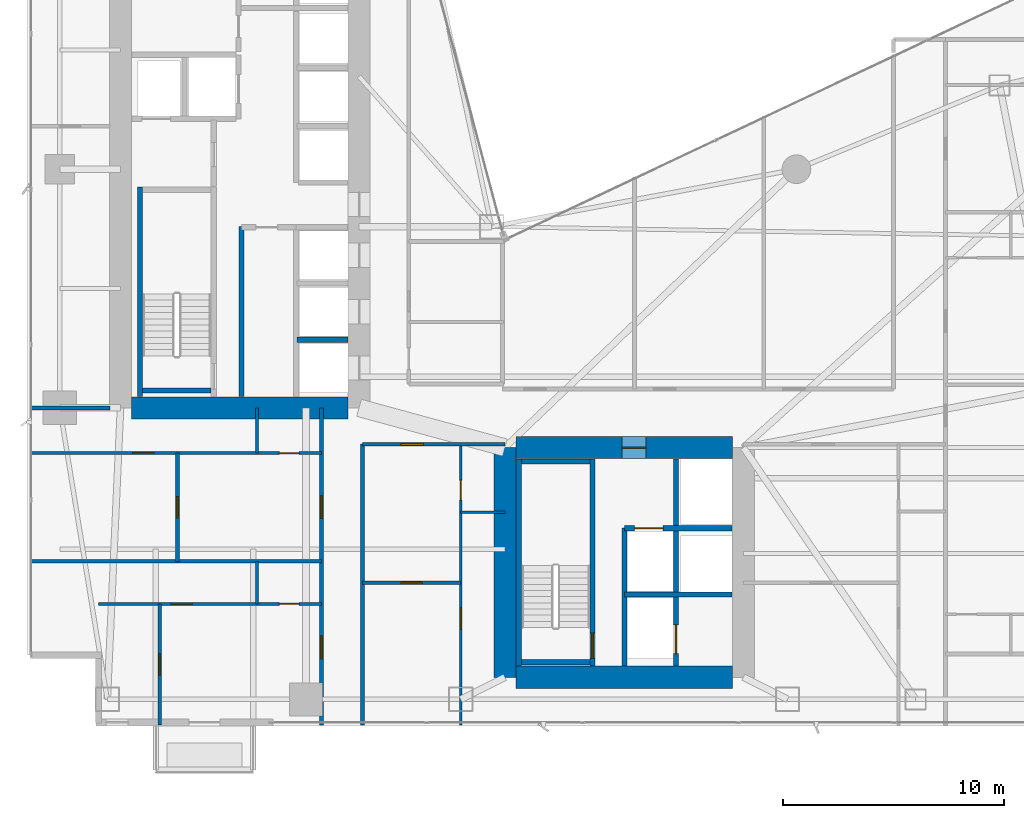
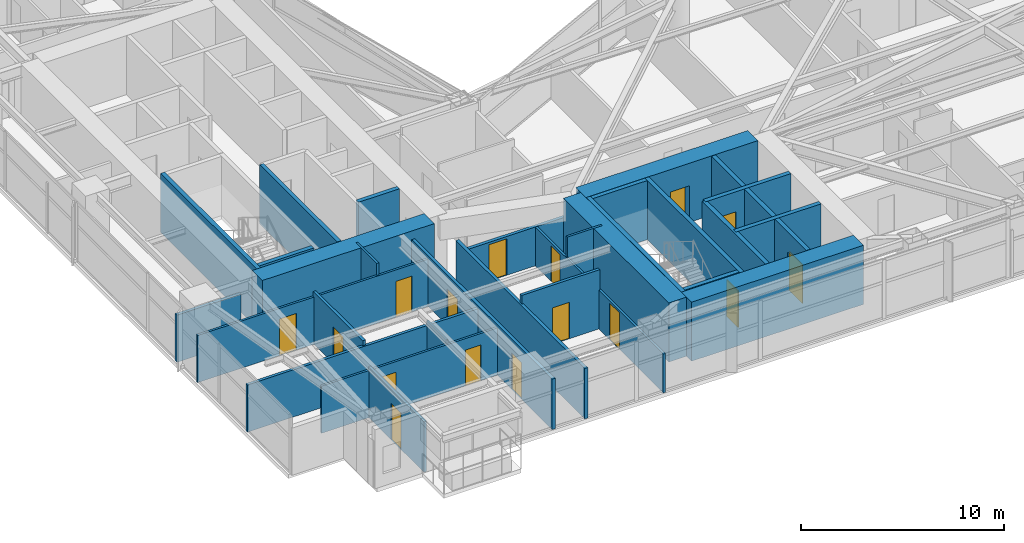
# One storey, part 22 of 29: 30 walls, 16 doors, 16 openings.
"""IFC4 building model written with IfcOpenShell, lengths in metres."""

from ifc_helpers import new_model, si_unit, direction, frame, frame_2d, origin, place, context, subcontext, project, spatial, rectangle, extrude, material, layer, layer_set, type_object, element, fill, save


model = new_model("IFC4")

# Units and contexts
model_context = context("Model", 3, precision=1e-05, world=origin(), true_north=direction((0.0, 1.0)))
body_context = subcontext(model_context, "Body", "Model", "MODEL_VIEW")
ifc_project = project(units=[si_unit("LENGTHUNIT", "METRE"), si_unit("AREAUNIT", "SQUARE_METRE"), si_unit("VOLUMEUNIT", "CUBIC_METRE"), si_unit("PLANEANGLEUNIT", "RADIAN"), si_unit("MASSUNIT", "GRAM", prefix="KILO")], contexts=[model_context])

# Site, building, storey
site_placement = place(None, origin())
site = spatial("IfcSite", under=ifc_project, at=site_placement, CompositionType="ELEMENT")
building_placement = place(site_placement, origin())
building = spatial("IfcBuilding", under=site, at=building_placement, Name="Calvorn Quay Hotel", CompositionType="ELEMENT")
storey_placement = place(building_placement, frame((0.0, 0.0, 58.39990234375)))
storey = spatial("IfcBuildingStorey", under=building, at=storey_placement, Name="L13", CompositionType="ELEMENT", Elevation=58.39990234375)

# Walls
ifc_material_1 = material(Name="Concrete C60", Category="concrete")
ifc_layer_1 = layer(ifc_material_1, 1.0)
ifc_layer_set_1 = layer_set([ifc_layer_1], Name="WL-CORE-1000")
wall_type_1 = type_object("IfcWallType", Name="WL-CORE-1000", PredefinedType="SHEAR", material=ifc_layer_set_1)
wall_1_placement = place(storey_placement, frame((4.699951171875, 16.800048828125, 0.0), z_axis=(0.0, 0.0, 1.0), x_axis=(1.0, 0.0, 0.0)))
element("IfcWall", 1, at=wall_1_placement, inside=storey, type_object=wall_type_1, Name="West Core Shear Wall S (L13)", PredefinedType="SHEAR", context=body_context, shape_type="SweptSolid", body=[
    extrude(rectangle(XDim=9.800048828125, YDim=1.0, at=frame_2d((4.89990234375, 0.0))), origin(), (0.0, 0.0, 1.0), 3.56005859375),
])
wall_2_placement = place(storey_placement, frame((21.60009765625, 4.60009765625, 0.0), z_axis=(0.0, 0.0, 1.0), x_axis=(0.0, 1.0, 0.0)))
element("IfcWall", 2, at=wall_2_placement, inside=storey, type_object=wall_type_1, Name="East Core Shear Wall W (L13)", PredefinedType="SHEAR", context=body_context, shape_type="SweptSolid", body=[
    extrude(rectangle(XDim=10.39990234375, YDim=1.0, at=frame_2d((5.199951171875, 0.0))), origin(), (0.0, 0.0, 1.0), 3.56005859375),
])

# Wall, opening, door
wall_3_placement = place(storey_placement, frame((22.10009765625, 15.0, 0.0), z_axis=(0.0, 0.0, 1.0), x_axis=(1.0, 0.0, 0.0)))
wall_3 = element("IfcWall", 3, at=wall_3_placement, inside=storey, type_object=wall_type_1, Name="East Core Shear Wall N (L13)", PredefinedType="SHEAR", context=body_context, shape_type="SweptSolid", body=[
    extrude(rectangle(XDim=9.7998046875, YDim=1.0, at=frame_2d((4.89990234375, 0.0))), origin(), (0.0, 0.0, 1.0), 3.56005859375),
])
opening_1_placement = place(wall_3_placement, frame((4.800048828125, 0.0, 0.0)))
opening_1 = element("IfcOpeningElement", 4, at=opening_1_placement, cuts=wall_3, Name="Opening D-L13-FLE", PredefinedType="OPENING", context=body_context, shape_type="SweptSolid", body=[
    extrude(rectangle(XDim=1.10009765625, YDim=2.199951171875, at=frame_2d((0.550048828125, 1.10009765625))), frame((0.0, 0.510009765625, 0.0), z_axis=(0.0, -1.0, 0.0), x_axis=(1.0, 0.0, 0.0)), (0.0, 0.0, 1.0), 1.02001953125),
])
ifc_material_2 = material(Name="Smoke-Sealed Steel Class A Fire Door", Category="steel")
door_type_1 = type_object("IfcDoorType", Name="DR-FFLOBBY-1100", OperationType="NOTDEFINED", PredefinedType="DOOR", material=ifc_material_2)
door_1_placement = place(opening_1_placement, origin())
door_1 = element("IfcDoor", 5, at=door_1_placement, inside=storey, type_object=door_type_1, Name="East Firefighting Lobby Fire Door (L13)", OperationType="SINGLE_SWING_LEFT", OverallHeight=2.199951171875, OverallWidth=1.10009765625, PredefinedType="DOOR", context=body_context, shape_type="SweptSolid", body=[
    extrude(rectangle(XDim=1.10009765625, YDim=2.199951171875, at=frame_2d((0.550048828125, 1.10009765625))), frame((0.0, 0.02490234375, 0.0), z_axis=(0.0, -1.0, 0.0), x_axis=(1.0, 0.0, 0.0)), (0.0, 0.0, 1.0), 0.050048828125),
])
fill(opening_1, door_1)

# Walls
wall_4_placement = place(storey_placement, frame((22.10009765625, 4.60009765625, 0.0), z_axis=(0.0, 0.0, 1.0), x_axis=(1.0, 0.0, 0.0)))
element("IfcWall", 6, at=wall_4_placement, inside=storey, type_object=wall_type_1, Name="East Core Shear Wall S (L13)", PredefinedType="SHEAR", context=body_context, shape_type="SweptSolid", body=[
    extrude(rectangle(XDim=9.7998046875, YDim=1.0, at=frame_2d((4.89990234375, 0.0))), origin(), (0.0, 0.0, 1.0), 3.56005859375),
])
ifc_material_3 = material(Name="Acoustic Fireboard Steel-Stud Partition", Category="steel")
ifc_layer_2 = layer(ifc_material_3, 0.179931640625)
ifc_layer_set_2 = layer_set([ifc_layer_2], Name="WL-CORR-FIRE-180")
wall_type_2 = type_object("IfcWallType", Name="WL-CORR-FIRE-180", PredefinedType="PARTITIONING", material=ifc_layer_set_2)
wall_5_placement = place(storey_placement, frame((0.080078125, 16.800048828125, 0.0), z_axis=(0.0, 0.0, 1.0), x_axis=(1.0, 0.0, 0.0)))
element("IfcWall", 7, at=wall_5_placement, inside=storey, type_object=wall_type_2, Name="Partition Wall L13-WL-WBAY-S-WALL", PredefinedType="PARTITIONING", context=body_context, shape_type="SweptSolid", body=[
    extrude(rectangle(XDim=3.64990234375, YDim=0.179931640625, at=frame_2d((1.824951171875, 0.0))), origin(), (0.0, 0.0, 1.0), 2.840087890625),
])

# Wall, openings, doors
wall_6_placement = place(storey_placement, frame((13.300048828125, 2.43994140625, 0.0), z_axis=(0.0, 0.0, 1.0), x_axis=(0.0, 1.0, 0.0)))
wall_6 = element("IfcWall", 8, at=wall_6_placement, inside=storey, type_object=wall_type_2, Name="Partition Wall L13-WL-CORR-SW-LEG-W", PredefinedType="PARTITIONING", context=body_context, shape_type="SweptSolid", body=[
    extrude(rectangle(XDim=14.360107421875, YDim=0.179931640625, at=frame_2d((7.18017578125, 0.0))), origin(), (0.0, 0.0, 1.0), 3.0400390625),
])
opening_2_placement = place(wall_6_placement, frame((3.010009765625, 0.0, 0.0)))
opening_2 = element("IfcOpeningElement", 9, at=opening_2_placement, cuts=wall_6, Name="Opening D-L13-U01", PredefinedType="OPENING", context=body_context, shape_type="SweptSolid", body=[
    extrude(rectangle(XDim=1.02001953125, YDim=2.199951171875, at=frame_2d((0.510009765625, 1.10009765625))), frame((0.0, 0.099853515625, 0.0), z_axis=(0.0, -1.0, 0.0), x_axis=(1.0, 0.0, 0.0)), (0.0, 0.0, 1.0), 0.199951171875),
])
opening_3_placement = place(wall_6_placement, frame((9.35009765625, 0.0, 0.0)))
opening_3 = element("IfcOpeningElement", 10, at=opening_3_placement, cuts=wall_6, Name="Opening D-L13-U02", PredefinedType="OPENING", context=body_context, shape_type="SweptSolid", body=[
    extrude(rectangle(XDim=1.02001953125, YDim=2.199951171875, at=frame_2d((0.510009765625, 1.10009765625))), frame((0.0, 0.099853515625, 0.0), z_axis=(0.0, -1.0, 0.0), x_axis=(1.0, 0.0, 0.0)), (0.0, 0.0, 1.0), 0.199951171875),
])
ifc_material_4 = material(Name="Solid-Core Walnut Veneer Hotel Fire Door")
door_type_2 = type_object("IfcDoorType", Name="DR-GUEST-ENTRY-1020", OperationType="NOTDEFINED", PredefinedType="DOOR", material=ifc_material_4)
door_2_placement = place(opening_2_placement, origin())
door_2 = element("IfcDoor", 11, at=door_2_placement, inside=storey, type_object=door_type_2, Name="South-West Unit Door U01 (L13)", OperationType="SINGLE_SWING_LEFT", OverallHeight=2.199951171875, OverallWidth=1.02001953125, PredefinedType="DOOR", context=body_context, shape_type="SweptSolid", body=[
    extrude(rectangle(XDim=1.02001953125, YDim=2.199951171875, at=frame_2d((0.510009765625, 1.10009765625))), frame((0.0, 0.02490234375, 0.0), z_axis=(0.0, -1.0, 0.0), x_axis=(1.0, 0.0, 0.0)), (0.0, 0.0, 1.0), 0.050048828125),
])
fill(opening_2, door_2)
door_3_placement = place(opening_3_placement, origin())
door_3 = element("IfcDoor", 12, at=door_3_placement, inside=storey, type_object=door_type_2, Name="South-West Unit Door U02 (L13)", OperationType="SINGLE_SWING_RIGHT", OverallHeight=2.199951171875, OverallWidth=1.02001953125, PredefinedType="DOOR", context=body_context, shape_type="SweptSolid", body=[
    extrude(rectangle(XDim=1.02001953125, YDim=2.199951171875, at=frame_2d((0.510009765625, 1.10009765625))), frame((0.0, 0.02490234375, 0.0), z_axis=(0.0, -1.0, 0.0), x_axis=(1.0, 0.0, 0.0)), (0.0, 0.0, 1.0), 0.050048828125),
])
fill(opening_3, door_3)

# Wall
wall_7_placement = place(storey_placement, frame((15.14990234375, 2.43994140625, 0.0), z_axis=(0.0, 0.0, 1.0), x_axis=(0.0, 1.0, 0.0)))
element("IfcWall", 13, at=wall_7_placement, inside=storey, type_object=wall_type_2, Name="Partition Wall L13-WL-CORR-SW-W", PredefinedType="PARTITIONING", context=body_context, shape_type="SweptSolid", body=[
    extrude(rectangle(XDim=12.7099609375, YDim=0.179931640625, at=frame_2d((6.35498046875, 0.0))), origin(), (0.0, 0.0, 1.0), 3.0400390625),
])

# Wall, opening, door
wall_8_placement = place(storey_placement, frame((15.14990234375, 15.14990234375, 0.0), z_axis=(0.0, 0.0, 1.0), x_axis=(1.0, 0.0, 0.0)))
wall_8 = element("IfcWall", 14, at=wall_8_placement, inside=storey, type_object=wall_type_2, Name="Partition Wall L13-WL-SC-CORR-S", PredefinedType="PARTITIONING", context=body_context, shape_type="SweptSolid", body=[
    extrude(rectangle(XDim=6.4501953125, YDim=0.179931640625, at=frame_2d((3.22509765625, 0.0))), origin(), (0.0, 0.0, 1.0), 2.340087890625),
])
opening_4_placement = place(wall_8_placement, frame((1.739990234375, 0.0, 0.0)))
opening_4 = element("IfcOpeningElement", 15, at=opening_4_placement, cuts=wall_8, Name="Opening D-L13-U03", PredefinedType="OPENING", context=body_context, shape_type="SweptSolid", body=[
    extrude(rectangle(XDim=1.02001953125, YDim=2.199951171875, at=frame_2d((0.510009765625, 1.10009765625))), frame((0.0, 0.099853515625, 0.0), z_axis=(0.0, -1.0, 0.0), x_axis=(1.0, 0.0, 0.0)), (0.0, 0.0, 1.0), 0.199951171875),
])
door_4_placement = place(opening_4_placement, origin())
door_4 = element("IfcDoor", 16, at=door_4_placement, inside=storey, type_object=door_type_2, Name="Harbour Central Unit Door (L13)", OperationType="SINGLE_SWING_LEFT", OverallHeight=2.199951171875, OverallWidth=1.02001953125, PredefinedType="DOOR", context=body_context, shape_type="SweptSolid", body=[
    extrude(rectangle(XDim=1.02001953125, YDim=2.199951171875, at=frame_2d((0.510009765625, 1.10009765625))), frame((0.0, 0.02490234375, 0.0), z_axis=(0.0, -1.0, 0.0), x_axis=(1.0, 0.0, 0.0)), (0.0, 0.0, 1.0), 0.050048828125),
])
fill(opening_4, door_4)

# Wall
ifc_material_5 = material(Name="Moisture-Resistant Tile-Backed Partition")
ifc_layer_3 = layer(ifc_material_5, 0.125)
ifc_layer_set_3 = layer_set([ifc_layer_3], Name="WL-ENSUITE-125")
wall_type_3 = type_object("IfcWallType", Name="WL-ENSUITE-125", PredefinedType="PARTITIONING", material=ifc_layer_set_3)
wall_9_placement = place(storey_placement, frame((10.3798828125, 7.919921875, 0.0), z_axis=(0.0, 0.0, 1.0), x_axis=(0.0, 1.0, 0.0)))
element("IfcWall", 17, at=wall_9_placement, inside=storey, type_object=wall_type_3, Name="Partition Wall L13-WL-U01-BDV", PredefinedType="PARTITIONING", context=body_context, shape_type="SweptSolid", body=[
    extrude(rectangle(XDim=1.93017578125, YDim=0.125, at=frame_2d((0.965087890625, 0.0))), origin(), (0.0, 0.0, 1.0), 3.090087890625),
])

# Wall, openings, doors
wall_10_placement = place(storey_placement, frame((3.199951171875, 7.919921875, 0.0), z_axis=(0.0, 0.0, 1.0), x_axis=(1.0, 0.0, 0.0)))
wall_10 = element("IfcWall", 18, at=wall_10_placement, inside=storey, type_object=wall_type_3, Name="Partition Wall L13-WL-U01-BH", PredefinedType="PARTITIONING", context=body_context, shape_type="SweptSolid", body=[
    extrude(rectangle(XDim=10.10009765625, YDim=0.125, at=frame_2d((5.050048828125, 0.0))), origin(), (0.0, 0.0, 1.0), 2.840087890625),
])
opening_5_placement = place(wall_10_placement, frame((3.2900390625, 0.0, 0.0)))
opening_5 = element("IfcOpeningElement", 19, at=opening_5_placement, cuts=wall_10, Name="Opening D-L13-S01", PredefinedType="OPENING", context=body_context, shape_type="SweptSolid", body=[
    extrude(rectangle(XDim=0.9599609375, YDim=2.199951171875, at=frame_2d((0.47998046875, 1.10009765625))), frame((0.0, 0.072509765625, 0.0), z_axis=(0.0, -1.0, 0.0), x_axis=(1.0, 0.0, 0.0)), (0.0, 0.0, 1.0), 0.14501953125),
])
opening_6_placement = place(wall_10_placement, frame((8.18994140625, 0.0, 0.0)))
opening_6 = element("IfcOpeningElement", 20, at=opening_6_placement, cuts=wall_10, Name="Opening D-L13-E01", PredefinedType="OPENING", context=body_context, shape_type="SweptSolid", body=[
    extrude(rectangle(XDim=0.89990234375, YDim=2.14990234375, at=frame_2d((0.449951171875, 1.074951171875))), frame((0.0, 0.072509765625, 0.0), z_axis=(0.0, -1.0, 0.0), x_axis=(1.0, 0.0, 0.0)), (0.0, 0.0, 1.0), 0.14501953125),
])
ifc_material_6 = material(Name="Moisture-Sealed Timber En-Suite Door", Category="wood")
door_type_3 = type_object("IfcDoorType", Name="DR-ENSUITE-900", OperationType="NOTDEFINED", PredefinedType="DOOR", material=ifc_material_6)
door_5_placement = place(opening_6_placement, origin())
door_5 = element("IfcDoor", 21, at=door_5_placement, inside=storey, type_object=door_type_3, Name="En-Suite Door 01", OperationType="SINGLE_SWING_RIGHT", OverallHeight=2.14990234375, OverallWidth=0.89990234375, PredefinedType="DOOR", context=body_context, shape_type="SweptSolid", body=[
    extrude(rectangle(XDim=0.89990234375, YDim=2.14990234375, at=frame_2d((0.449951171875, 1.074951171875))), frame((0.0, 0.02490234375, 0.0), z_axis=(0.0, -1.0, 0.0), x_axis=(1.0, 0.0, 0.0)), (0.0, 0.0, 1.0), 0.050048828125),
])
fill(opening_6, door_5)
ifc_material_7 = material(Name="Solid Timber Internal Suite Door", Category="wood")
door_type_4 = type_object("IfcDoorType", Name="DR-SUITE-INT-960", OperationType="NOTDEFINED", PredefinedType="DOOR", material=ifc_material_7)
door_6_placement = place(opening_5_placement, origin())
door_6 = element("IfcDoor", 22, at=door_6_placement, inside=storey, type_object=door_type_4, Name="Private Executive Study Door 01", OperationType="SINGLE_SWING_LEFT", OverallHeight=2.199951171875, OverallWidth=0.9599609375, PredefinedType="DOOR", context=body_context, shape_type="SweptSolid", body=[
    extrude(rectangle(XDim=0.9599609375, YDim=2.199951171875, at=frame_2d((0.47998046875, 1.10009765625))), frame((0.0, 0.02490234375, 0.0), z_axis=(0.0, -1.0, 0.0), x_axis=(1.0, 0.0, 0.0)), (0.0, 0.0, 1.0), 0.050048828125),
])
fill(opening_5, door_6)

# Wall
wall_11_placement = place(storey_placement, frame((10.3798828125, 14.75, 0.0), z_axis=(0.0, 0.0, 1.0), x_axis=(0.0, 1.0, 0.0)))
element("IfcWall", 23, at=wall_11_placement, inside=storey, type_object=wall_type_3, Name="Partition Wall L13-WL-U02-BDV", PredefinedType="PARTITIONING", context=body_context, shape_type="SweptSolid", body=[
    extrude(rectangle(XDim=2.050048828125, YDim=0.125, at=frame_2d((1.02490234375, 0.0))), origin(), (0.0, 0.0, 1.0), 3.56005859375),
])

# Wall, openings, doors
wall_12_placement = place(storey_placement, frame((0.080078125, 14.75, 0.0), z_axis=(0.0, 0.0, 1.0), x_axis=(1.0, 0.0, 0.0)))
wall_12 = element("IfcWall", 24, at=wall_12_placement, inside=storey, type_object=wall_type_3, Name="Partition Wall L13-WL-U02-BH", PredefinedType="PARTITIONING", context=body_context, shape_type="SweptSolid", body=[
    extrude(rectangle(XDim=13.219970703125, YDim=0.125, at=frame_2d((6.60986328125, 0.0))), origin(), (0.0, 0.0, 1.0), 2.840087890625),
])
opening_7_placement = place(wall_12_placement, frame((4.669921875, 0.0, 0.0)))
opening_7 = element("IfcOpeningElement", 25, at=opening_7_placement, cuts=wall_12, Name="Opening D-L13-S02", PredefinedType="OPENING", context=body_context, shape_type="SweptSolid", body=[
    extrude(rectangle(XDim=0.9599609375, YDim=2.199951171875, at=frame_2d((0.47998046875, 1.10009765625))), frame((0.0, 0.072509765625, 0.0), z_axis=(0.0, -1.0, 0.0), x_axis=(1.0, 0.0, 0.0)), (0.0, 0.0, 1.0), 0.14501953125),
])
opening_8_placement = place(wall_12_placement, frame((11.31005859375, 0.0, 0.0)))
opening_8 = element("IfcOpeningElement", 26, at=opening_8_placement, cuts=wall_12, Name="Opening D-L13-E02", PredefinedType="OPENING", context=body_context, shape_type="SweptSolid", body=[
    extrude(rectangle(XDim=0.89990234375, YDim=2.14990234375, at=frame_2d((0.449951171875, 1.074951171875))), frame((0.0, 0.072509765625, 0.0), z_axis=(0.0, -1.0, 0.0), x_axis=(1.0, 0.0, 0.0)), (0.0, 0.0, 1.0), 0.14501953125),
])
door_7_placement = place(opening_8_placement, origin())
door_7 = element("IfcDoor", 27, at=door_7_placement, inside=storey, type_object=door_type_3, Name="En-Suite Door 02", OperationType="SINGLE_SWING_RIGHT", OverallHeight=2.14990234375, OverallWidth=0.89990234375, PredefinedType="DOOR", context=body_context, shape_type="SweptSolid", body=[
    extrude(rectangle(XDim=0.89990234375, YDim=2.14990234375, at=frame_2d((0.449951171875, 1.074951171875))), frame((0.0, 0.02490234375, 0.0), z_axis=(0.0, -1.0, 0.0), x_axis=(1.0, 0.0, 0.0)), (0.0, 0.0, 1.0), 0.050048828125),
])
fill(opening_8, door_7)
door_8_placement = place(opening_7_placement, origin())
door_8 = element("IfcDoor", 28, at=door_8_placement, inside=storey, type_object=door_type_4, Name="Private Executive Study Door 02", OperationType="SINGLE_SWING_LEFT", OverallHeight=2.199951171875, OverallWidth=0.9599609375, PredefinedType="DOOR", context=body_context, shape_type="SweptSolid", body=[
    extrude(rectangle(XDim=0.9599609375, YDim=2.199951171875, at=frame_2d((0.47998046875, 1.10009765625))), frame((0.0, 0.02490234375, 0.0), z_axis=(0.0, -1.0, 0.0), x_axis=(1.0, 0.0, 0.0)), (0.0, 0.0, 1.0), 0.050048828125),
])
fill(opening_7, door_8)

# Wall
wall_13_placement = place(storey_placement, frame((19.60009765625, 12.070068359375, 0.0), z_axis=(0.0, 0.0, 1.0), x_axis=(1.0, 0.0, 0.0)))
element("IfcWall", 29, at=wall_13_placement, inside=storey, type_object=wall_type_3, Name="Partition Wall L13-WL-U03-BDV", PredefinedType="PARTITIONING", context=body_context, shape_type="SweptSolid", body=[
    extrude(rectangle(XDim=2.0, YDim=0.125, at=frame_2d((1.0, 0.0))), origin(), (0.0, 0.0, 1.0), 3.56005859375),
])

# Wall, openings, doors
wall_14_placement = place(storey_placement, frame((19.60009765625, 2.43994140625, 0.0), z_axis=(0.0, 0.0, 1.0), x_axis=(0.0, 1.0, 0.0)))
wall_14 = element("IfcWall", 30, at=wall_14_placement, inside=storey, type_object=wall_type_3, Name="Partition Wall L13-WL-U03-BV", PredefinedType="PARTITIONING", context=body_context, shape_type="SweptSolid", body=[
    extrude(rectangle(XDim=12.7099609375, YDim=0.125, at=frame_2d((6.35498046875, 0.0))), origin(), (0.0, 0.0, 1.0), 2.340087890625),
])
opening_9_placement = place(wall_14_placement, frame((4.340087890625, 0.0, 0.0)))
opening_9 = element("IfcOpeningElement", 31, at=opening_9_placement, cuts=wall_14, Name="Opening D-L13-S03", PredefinedType="OPENING", context=body_context, shape_type="SweptSolid", body=[
    extrude(rectangle(XDim=0.9599609375, YDim=2.199951171875, at=frame_2d((0.47998046875, 1.10009765625))), frame((0.0, 0.072509765625, 0.0), z_axis=(0.0, -1.0, 0.0), x_axis=(1.0, 0.0, 0.0)), (0.0, 0.0, 1.0), 0.14501953125),
])
opening_10_placement = place(wall_14_placement, frame((10.179931640625, 0.0, 0.0)))
opening_10 = element("IfcOpeningElement", 32, at=opening_10_placement, cuts=wall_14, Name="Opening D-L13-E03", PredefinedType="OPENING", context=body_context, shape_type="SweptSolid", body=[
    extrude(rectangle(XDim=0.89990234375, YDim=2.14990234375, at=frame_2d((0.449951171875, 1.074951171875))), frame((0.0, 0.072509765625, 0.0), z_axis=(0.0, -1.0, 0.0), x_axis=(1.0, 0.0, 0.0)), (0.0, 0.0, 1.0), 0.14501953125),
])
door_9_placement = place(opening_10_placement, origin())
door_9 = element("IfcDoor", 33, at=door_9_placement, inside=storey, type_object=door_type_3, Name="En-Suite Door 03", OperationType="SINGLE_SWING_RIGHT", OverallHeight=2.14990234375, OverallWidth=0.89990234375, PredefinedType="DOOR", context=body_context, shape_type="SweptSolid", body=[
    extrude(rectangle(XDim=0.89990234375, YDim=2.14990234375, at=frame_2d((0.449951171875, 1.074951171875))), frame((0.0, 0.02490234375, 0.0), z_axis=(0.0, -1.0, 0.0), x_axis=(1.0, 0.0, 0.0)), (0.0, 0.0, 1.0), 0.050048828125),
])
fill(opening_10, door_9)
door_10_placement = place(opening_9_placement, origin())
door_10 = element("IfcDoor", 34, at=door_10_placement, inside=storey, type_object=door_type_4, Name="Private Executive Study Door 03", OperationType="SINGLE_SWING_LEFT", OverallHeight=2.199951171875, OverallWidth=0.9599609375, PredefinedType="DOOR", context=body_context, shape_type="SweptSolid", body=[
    extrude(rectangle(XDim=0.9599609375, YDim=2.199951171875, at=frame_2d((0.47998046875, 1.10009765625))), frame((0.0, 0.02490234375, 0.0), z_axis=(0.0, -1.0, 0.0), x_axis=(1.0, 0.0, 0.0)), (0.0, 0.0, 1.0), 0.050048828125),
])
fill(opening_9, door_10)

# Wall, opening, door
ifc_material_8 = material(Name="Double-Stud Acoustic Gypsum Partition")
ifc_layer_4 = layer(ifc_material_8, 0.159912109375)
ifc_layer_set_4 = layer_set([ifc_layer_4], Name="WL-INTERSUITE-160")
wall_type_4 = type_object("IfcWallType", Name="WL-INTERSUITE-160", PredefinedType="PARTITIONING", material=ifc_layer_set_4)
wall_15_placement = place(storey_placement, frame((5.97998046875, 2.43994140625, 0.0), z_axis=(0.0, 0.0, 1.0), x_axis=(0.0, 1.0, 0.0)))
wall_15 = element("IfcWall", 35, at=wall_15_placement, inside=storey, type_object=wall_type_4, Name="Partition Wall L13-WL-U01-MSP", PredefinedType="PARTITIONING", context=body_context, shape_type="SweptSolid", body=[
    extrude(rectangle(XDim=5.47998046875, YDim=0.159912109375, at=frame_2d((2.739990234375, 0.0))), origin(), (0.0, 0.0, 1.0), 3.0400390625),
])
opening_11_placement = place(wall_15_placement, frame((2.260009765625, 0.0, 0.0)))
opening_11 = element("IfcOpeningElement", 36, at=opening_11_placement, cuts=wall_15, Name="Opening D-L13-M01", PredefinedType="OPENING", context=body_context, shape_type="SweptSolid", body=[
    extrude(rectangle(XDim=0.9599609375, YDim=2.199951171875, at=frame_2d((0.47998046875, 1.10009765625))), frame((0.0, 0.08984375, 0.0), z_axis=(0.0, -1.0, 0.0), x_axis=(1.0, 0.0, 0.0)), (0.0, 0.0, 1.0), 0.179931640625),
])
door_11_placement = place(opening_11_placement, origin())
door_11 = element("IfcDoor", 37, at=door_11_placement, inside=storey, type_object=door_type_4, Name="Suite Bedroom Door 01", OperationType="SINGLE_SWING_LEFT", OverallHeight=2.199951171875, OverallWidth=0.9599609375, PredefinedType="DOOR", context=body_context, shape_type="SweptSolid", body=[
    extrude(rectangle(XDim=0.9599609375, YDim=2.199951171875, at=frame_2d((0.47998046875, 1.10009765625))), frame((0.0, 0.02490234375, 0.0), z_axis=(0.0, -1.0, 0.0), x_axis=(1.0, 0.0, 0.0)), (0.0, 0.0, 1.0), 0.050048828125),
])
fill(opening_11, door_11)

wall_16_placement = place(storey_placement, frame((6.780029296875, 9.85009765625, 0.0), z_axis=(0.0, 0.0, 1.0), x_axis=(0.0, 1.0, 0.0)))
wall_16 = element("IfcWall", 38, at=wall_16_placement, inside=storey, type_object=wall_type_4, Name="Partition Wall L13-WL-U02-MSP", PredefinedType="PARTITIONING", context=body_context, shape_type="SweptSolid", body=[
    extrude(rectangle(XDim=4.89990234375, YDim=0.159912109375, at=frame_2d((2.449951171875, 0.0))), origin(), (0.0, 0.0, 1.0), 3.14013671875),
])
opening_12_placement = place(wall_16_placement, frame((1.969970703125, 0.0, 0.0)))
opening_12 = element("IfcOpeningElement", 39, at=opening_12_placement, cuts=wall_16, Name="Opening D-L13-M02", PredefinedType="OPENING", context=body_context, shape_type="SweptSolid", body=[
    extrude(rectangle(XDim=0.9599609375, YDim=2.199951171875, at=frame_2d((0.47998046875, 1.10009765625))), frame((0.0, 0.08984375, 0.0), z_axis=(0.0, -1.0, 0.0), x_axis=(1.0, 0.0, 0.0)), (0.0, 0.0, 1.0), 0.179931640625),
])
door_12_placement = place(opening_12_placement, origin())
door_12 = element("IfcDoor", 40, at=door_12_placement, inside=storey, type_object=door_type_4, Name="Suite Bedroom Door 02", OperationType="SINGLE_SWING_LEFT", OverallHeight=2.199951171875, OverallWidth=0.9599609375, PredefinedType="DOOR", context=body_context, shape_type="SweptSolid", body=[
    extrude(rectangle(XDim=0.9599609375, YDim=2.199951171875, at=frame_2d((0.47998046875, 1.10009765625))), frame((0.0, 0.02490234375, 0.0), z_axis=(0.0, -1.0, 0.0), x_axis=(1.0, 0.0, 0.0)), (0.0, 0.0, 1.0), 0.050048828125),
])
fill(opening_12, door_12)

# Wall
wall_17_placement = place(storey_placement, frame((0.080078125, 9.85009765625, 0.0), z_axis=(0.0, 0.0, 1.0), x_axis=(1.0, 0.0, 0.0)))
element("IfcWall", 41, at=wall_17_placement, inside=storey, type_object=wall_type_4, Name="Partition Wall L13-WL-SW-DIV-1", PredefinedType="PARTITIONING", context=body_context, shape_type="SweptSolid", body=[
    extrude(rectangle(XDim=13.219970703125, YDim=0.159912109375, at=frame_2d((6.60986328125, 0.0))), origin(), (0.0, 0.0, 1.0), 2.840087890625),
])

# Wall, opening, door
wall_18_placement = place(storey_placement, frame((15.14990234375, 8.8701171875, 0.0), z_axis=(0.0, 0.0, 1.0), x_axis=(1.0, 0.0, 0.0)))
wall_18 = element("IfcWall", 42, at=wall_18_placement, inside=storey, type_object=wall_type_4, Name="Partition Wall L13-WL-U03-MSP", PredefinedType="PARTITIONING", context=body_context, shape_type="SweptSolid", body=[
    extrude(rectangle(XDim=4.4501953125, YDim=0.159912109375, at=frame_2d((2.22509765625, 0.0))), origin(), (0.0, 0.0, 1.0), 3.56005859375),
])
opening_13_placement = place(wall_18_placement, frame((1.75, 0.0, 0.0)))
opening_13 = element("IfcOpeningElement", 43, at=opening_13_placement, cuts=wall_18, Name="Opening D-L13-M03", PredefinedType="OPENING", context=body_context, shape_type="SweptSolid", body=[
    extrude(rectangle(XDim=0.9599609375, YDim=2.199951171875, at=frame_2d((0.47998046875, 1.10009765625))), frame((0.0, 0.08984375, 0.0), z_axis=(0.0, -1.0, 0.0), x_axis=(1.0, 0.0, 0.0)), (0.0, 0.0, 1.0), 0.179931640625),
])
door_13_placement = place(opening_13_placement, origin())
door_13 = element("IfcDoor", 44, at=door_13_placement, inside=storey, type_object=door_type_4, Name="Suite Bedroom Door 03", OperationType="SINGLE_SWING_LEFT", OverallHeight=2.199951171875, OverallWidth=0.9599609375, PredefinedType="DOOR", context=body_context, shape_type="SweptSolid", body=[
    extrude(rectangle(XDim=0.9599609375, YDim=2.199951171875, at=frame_2d((0.47998046875, 1.10009765625))), frame((0.0, 0.02490234375, 0.0), z_axis=(0.0, -1.0, 0.0), x_axis=(1.0, 0.0, 0.0)), (0.0, 0.0, 1.0), 0.050048828125),
])
fill(opening_13, door_13)

# Walls
ifc_material_9 = material(Name="Autoclaved Aerated Masonry Block", Category="masonry")
ifc_layer_5 = layer(ifc_material_9, 0.219970703125)
ifc_layer_set_5 = layer_set([ifc_layer_5], Name="WL-LOBBY-FIRE-220")
wall_type_5 = type_object("IfcWallType", Name="WL-LOBBY-FIRE-220", PredefinedType="SOLIDWALL", material=ifc_layer_set_5)
wall_19_placement = place(storey_placement, frame((9.679931640625, 17.320068359375, 0.0), z_axis=(0.0, 0.0, 1.0), x_axis=(0.0, 1.0, 0.0)))
element("IfcWall", 45, at=wall_19_placement, inside=storey, type_object=wall_type_5, Name="Partition Wall L13-WL-CWW-STW-HALL-E", PredefinedType="SOLIDWALL", context=body_context, shape_type="SweptSolid", body=[
    extrude(rectangle(XDim=7.679931640625, YDim=0.219970703125, at=frame_2d((3.83984375, 0.0))), origin(), (0.0, 0.0, 1.0), 3.56005859375),
])
ifc_material_10 = material(Name="Concrete C40", Category="concrete")
ifc_layer_6 = layer(ifc_material_10, 0.239990234375)
ifc_layer_set_6 = layer_set([ifc_layer_6], Name="WL-SHAFT-240")
wall_type_6 = type_object("IfcWallType", Name="WL-SHAFT-240", PredefinedType="SOLIDWALL", material=ifc_layer_set_6)
wall_20_placement = place(storey_placement, frame((5.080078125, 17.300048828125, 0.0), z_axis=(0.0, 0.0, 1.0), x_axis=(0.0, 1.0, 0.0)))
element("IfcWall", 46, at=wall_20_placement, inside=storey, type_object=wall_type_6, Name="Stair STW Shaft Wall W (L13)", PredefinedType="SOLIDWALL", context=body_context, shape_type="SweptSolid", body=[
    extrude(rectangle(XDim=9.489990234375, YDim=0.239990234375, at=frame_2d((4.7451171875, 0.0))), origin(), (0.0, 0.0, 1.0), 3.56005859375),
])
wall_21_placement = place(storey_placement, frame((5.199951171875, 17.580078125, 0.0), z_axis=(0.0, 0.0, 1.0), x_axis=(1.0, 0.0, 0.0)))
element("IfcWall", 47, at=wall_21_placement, inside=storey, type_object=wall_type_6, Name="Stair STW Shaft Wall S (L13)", PredefinedType="SOLIDWALL", context=body_context, shape_type="SweptSolid", body=[
    extrude(rectangle(XDim=3.10009765625, YDim=0.239990234375, at=frame_2d((1.550048828125, 0.0))), origin(), (0.0, 0.0, 1.0), 3.56005859375),
])
wall_22_placement = place(storey_placement, frame((22.22998046875, 5.10009765625, 0.0), z_axis=(0.0, 0.0, 1.0), x_axis=(0.0, 1.0, 0.0)))
element("IfcWall", 48, at=wall_22_placement, inside=storey, type_object=wall_type_6, Name="Stair STE Shaft Wall W (L13)", PredefinedType="SOLIDWALL", context=body_context, shape_type="SweptSolid", body=[
    extrude(rectangle(XDim=9.389892578125, YDim=0.239990234375, at=frame_2d((4.69482421875, 0.0))), origin(), (0.0, 0.0, 1.0), 3.56005859375),
])

# Wall, opening, door
wall_23_placement = place(storey_placement, frame((25.570068359375, 5.10009765625, 0.0), z_axis=(0.0, 0.0, 1.0), x_axis=(0.0, 1.0, 0.0)))
wall_23 = element("IfcWall", 49, at=wall_23_placement, inside=storey, type_object=wall_type_6, Name="Stair STE Shaft Wall E (L13)", PredefinedType="SOLIDWALL", context=body_context, shape_type="SweptSolid", body=[
    extrude(rectangle(XDim=9.389892578125, YDim=0.239990234375, at=frame_2d((4.69482421875, 0.0))), origin(), (0.0, 0.0, 1.0), 3.56005859375),
])
opening_14_placement = place(wall_23_placement, frame((0.35009765625, 0.0, 0.0)))
opening_14 = element("IfcOpeningElement", 50, at=opening_14_placement, cuts=wall_23, Name="Opening D-L13-STE", PredefinedType="OPENING", context=body_context, shape_type="SweptSolid", body=[
    extrude(rectangle(XDim=1.14990234375, YDim=2.199951171875, at=frame_2d((0.574951171875, 1.10009765625))), frame((0.0, 0.1298828125, 0.0), z_axis=(0.0, -1.0, 0.0), x_axis=(1.0, 0.0, 0.0)), (0.0, 0.0, 1.0), 0.260009765625),
])
ifc_material_11 = material(Name="Galvanised Steel Class A Fire Door", Category="steel")
door_type_5 = type_object("IfcDoorType", Name="DR-STAIR-SMOKE-1150", OperationType="NOTDEFINED", PredefinedType="DOOR", material=ifc_material_11)
door_14_placement = place(opening_14_placement, origin())
door_14 = element("IfcDoor", 51, at=door_14_placement, inside=storey, type_object=door_type_5, Name="Stair ST-E Fire Door (L13)", OperationType="SINGLE_SWING_RIGHT", OverallHeight=2.199951171875, OverallWidth=1.14990234375, PredefinedType="DOOR", context=body_context, shape_type="SweptSolid", body=[
    extrude(rectangle(XDim=1.14990234375, YDim=2.199951171875, at=frame_2d((0.574951171875, 1.10009765625))), frame((0.0, 0.02490234375, 0.0), z_axis=(0.0, -1.0, 0.0), x_axis=(1.0, 0.0, 0.0)), (0.0, 0.0, 1.0), 0.050048828125),
])
fill(opening_14, door_14)

# Walls
for number, where, z_axis, x_axis, name in (
    (52, (22.35009765625, 5.280029296875, 0.0), (0.0, 0.0, 1.0), (1.0, 0.0, 0.0), "Stair STE Shaft Wall S (L13)"),
    (53, (22.35009765625, 14.3701171875, 0.0), (0.0, 0.0, 1.0), (1.0, 0.0, 0.0), "Stair STE Shaft Wall N (L13)"),
):
    element("IfcWall", number, at=place(storey_placement, frame(where, z_axis=z_axis, x_axis=x_axis)), inside=storey, type_object=wall_type_6, Name=name, PredefinedType="SOLIDWALL", context=body_context, shape_type="SweptSolid", body=[
        extrude(rectangle(XDim=3.099853515625, YDim=0.239990234375, at=frame_2d((1.5498046875, 0.0))), origin(), (0.0, 0.0, 1.0), 3.56005859375),
    ])
wall_24_placement = place(storey_placement, frame((12.179931640625, 19.875, 0.0), z_axis=(0.0, 0.0, 1.0), x_axis=(1.0, 0.0, 0.0)))
element("IfcWall", 54, at=wall_24_placement, inside=storey, type_object=wall_type_6, Name="Lift Hoistway Divider Wall PLL12 (L13)", PredefinedType="SOLIDWALL", context=body_context, shape_type="SweptSolid", body=[
    extrude(rectangle(XDim=2.320068359375, YDim=0.239990234375, at=frame_2d((1.16015625, 0.0))), origin(), (0.0, 0.0, 1.0), 3.56005859375),
])
wall_25_placement = place(storey_placement, frame((27.02001953125, 5.1201171875, 0.0), z_axis=(0.0, 0.0, 1.0), x_axis=(0.0, 1.0, 0.0)))
element("IfcWall", 55, at=wall_25_placement, inside=storey, type_object=wall_type_6, Name="Partition Wall L13-WL-CWE-SH-W", PredefinedType="SOLIDWALL", context=body_context, shape_type="SweptSolid", body=[
    extrude(rectangle(XDim=6.22998046875, YDim=0.239990234375, at=frame_2d((3.114990234375, 0.0))), origin(), (0.0, 0.0, 1.0), 3.56005859375),
])

# Wall, opening, door
wall_26_placement = place(storey_placement, frame((27.02001953125, 11.35009765625, 0.0), z_axis=(0.0, 0.0, 1.0), x_axis=(1.0, 0.0, 0.0)))
wall_26 = element("IfcWall", 56, at=wall_26_placement, inside=storey, type_object=wall_type_6, Name="Partition Wall L13-WL-CWE-FFL-S", PredefinedType="SOLIDWALL", context=body_context, shape_type="SweptSolid", body=[
    extrude(rectangle(XDim=4.85986328125, YDim=0.239990234375, at=frame_2d((2.429931640625, 0.0))), origin(), (0.0, 0.0, 1.0), 3.56005859375),
])
opening_15_placement = place(wall_26_placement, frame((0.449951171875, 0.0, 0.0)))
opening_15 = element("IfcOpeningElement", 57, at=opening_15_placement, cuts=wall_26, Name="Opening LD-L13-FLE1", PredefinedType="OPENING", context=body_context, shape_type="SweptSolid", body=[
    extrude(rectangle(XDim=1.300048828125, YDim=2.35009765625, at=frame_2d((0.64990234375, 1.175048828125))), frame((0.0, 0.1298828125, 0.0), z_axis=(0.0, -1.0, 0.0), x_axis=(1.0, 0.0, 0.0)), (0.0, 0.0, 1.0), 0.260009765625),
])
ifc_material_12 = material(Name="Champagne-Bronze Sliding Express Lift Landing Door")
door_type_6 = type_object("IfcDoorType", Name="DR-LIFT-SHUTTLE-1300", OperationType="NOTDEFINED", PredefinedType="DOOR", material=ifc_material_12)
door_15_placement = place(opening_15_placement, origin())
door_15 = element("IfcDoor", 58, at=door_15_placement, inside=storey, type_object=door_type_6, Name="Firefighting Lift FL-E1 Landing Door (L13)", OperationType="DOUBLE_DOOR_SLIDING", OverallHeight=2.35009765625, OverallWidth=1.300048828125, PredefinedType="DOOR", context=body_context, shape_type="SweptSolid", body=[
    extrude(rectangle(XDim=1.300048828125, YDim=2.35009765625, at=frame_2d((0.64990234375, 1.175048828125))), frame((0.0, 0.02490234375, 0.0), z_axis=(0.0, -1.0, 0.0), x_axis=(1.0, 0.0, 0.0)), (0.0, 0.0, 1.0), 0.050048828125),
])
fill(opening_15, door_15)

# Wall
wall_27_placement = place(storey_placement, frame((27.02001953125, 8.35009765625, 0.0), z_axis=(0.0, 0.0, 1.0), x_axis=(1.0, 0.0, 0.0)))
element("IfcWall", 59, at=wall_27_placement, inside=storey, type_object=wall_type_6, Name="Partition Wall L13-WL-CWE-SL-N", PredefinedType="SOLIDWALL", context=body_context, shape_type="SweptSolid", body=[
    extrude(rectangle(XDim=4.85986328125, YDim=0.239990234375, at=frame_2d((2.429931640625, 0.0))), origin(), (0.0, 0.0, 1.0), 3.56005859375),
])

# Wall, opening, door
wall_28_placement = place(storey_placement, frame((29.35009765625, 5.1201171875, 0.0), z_axis=(0.0, 0.0, 1.0), x_axis=(0.0, 1.0, 0.0)))
wall_28 = element("IfcWall", 60, at=wall_28_placement, inside=storey, type_object=wall_type_6, Name="Partition Wall L13-WL-CWE-OB-W", PredefinedType="SOLIDWALL", context=body_context, shape_type="SweptSolid", body=[
    extrude(rectangle(XDim=9.35986328125, YDim=0.239990234375, at=frame_2d((4.679931640625, 0.0))), origin(), (0.0, 0.0, 1.0), 3.56005859375),
])
opening_16_placement = place(wall_28_placement, frame((0.550048828125, 0.0, 0.0)))
opening_16 = element("IfcOpeningElement", 61, at=opening_16_placement, cuts=wall_28, Name="Opening LD-L13-SLEI", PredefinedType="OPENING", context=body_context, shape_type="SweptSolid", body=[
    extrude(rectangle(XDim=1.300048828125, YDim=2.35009765625, at=frame_2d((0.64990234375, 1.175048828125))), frame((0.0, 0.1298828125, 0.0), z_axis=(0.0, -1.0, 0.0), x_axis=(1.0, 0.0, 0.0)), (0.0, 0.0, 1.0), 0.260009765625),
])
door_16_placement = place(opening_16_placement, origin())
door_16 = element("IfcDoor", 62, at=door_16_placement, inside=storey, type_object=door_type_6, Name="Service Lift SL-E1 Landing Door (L13)", OperationType="DOUBLE_DOOR_SLIDING", OverallHeight=2.35009765625, OverallWidth=1.300048828125, PredefinedType="DOOR", context=body_context, shape_type="SweptSolid", body=[
    extrude(rectangle(XDim=1.300048828125, YDim=2.35009765625, at=frame_2d((0.64990234375, 1.175048828125))), frame((0.0, 0.02490234375, 0.0), z_axis=(0.0, -1.0, 0.0), x_axis=(1.0, 0.0, 0.0)), (0.0, 0.0, 1.0), 0.050048828125),
])
fill(opening_16, door_16)

save(model, "model.ifc")
